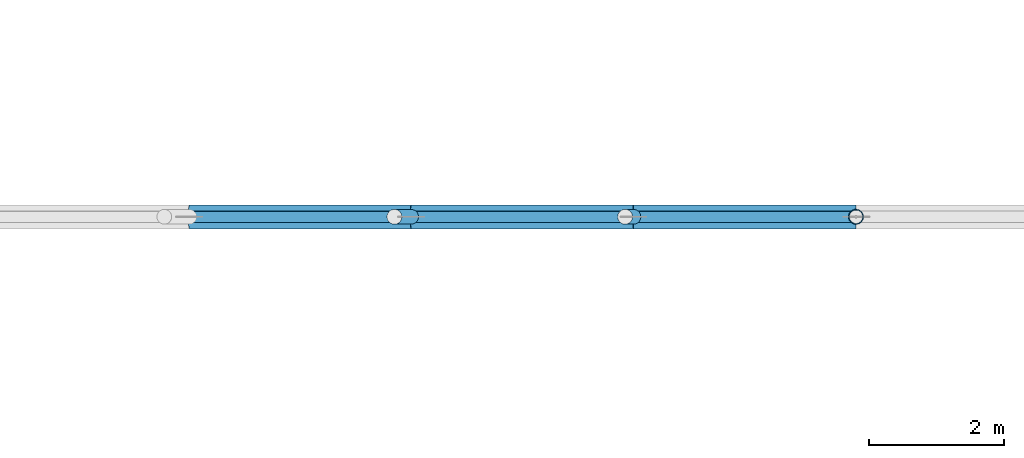
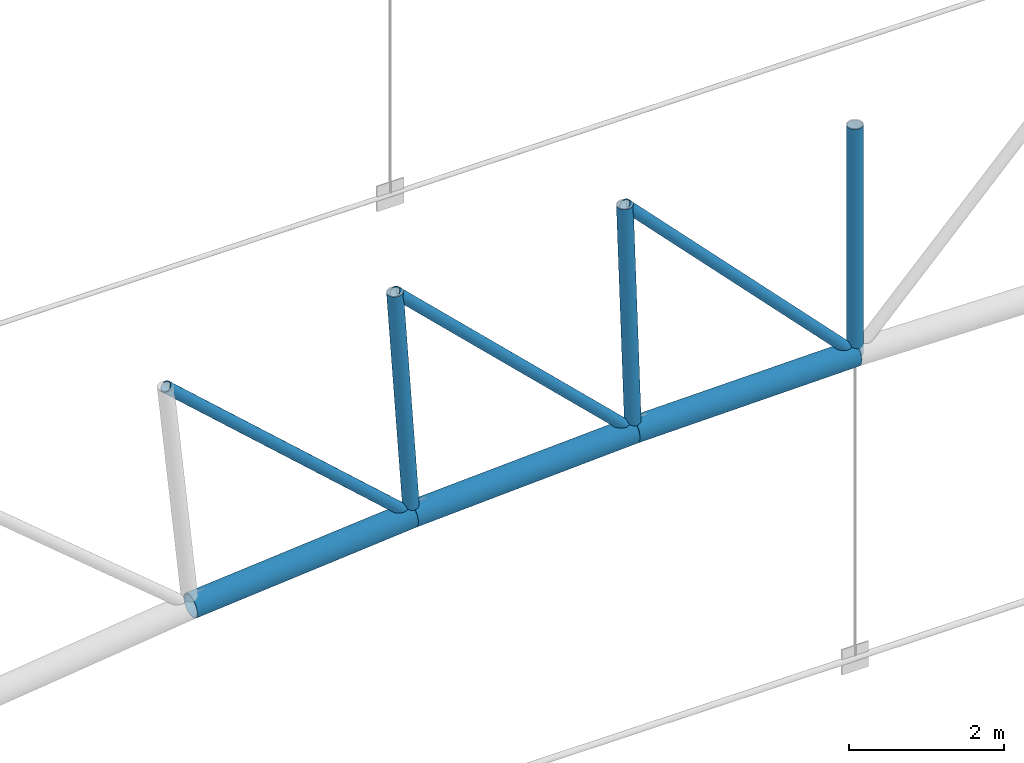
# One storey, part 87 of 321: 9 members.
"""IFC4 building model written with IfcOpenShell, lengths in metres."""

from ifc_helpers import new_model, si_unit, direction, frame, origin, origin_2d, place, context, subcontext, project, spatial, hollow_circle, extrude, material, material_profile, profile_set, type_object, element, save


model = new_model("IFC4")

# Units and contexts
model_context = context("Model", 3, precision=1e-05, world=origin(), true_north=direction((0.0, 1.0)))
body_context = subcontext(model_context, "Body", "Model", "MODEL_VIEW")
ifc_project = project(units=[si_unit("LENGTHUNIT", "METRE"), si_unit("AREAUNIT", "SQUARE_METRE"), si_unit("VOLUMEUNIT", "CUBIC_METRE"), si_unit("PLANEANGLEUNIT", "RADIAN"), si_unit("MASSUNIT", "GRAM", prefix="KILO")], contexts=[model_context])

# Site, building, storey
site_placement = place(None, origin())
site = spatial("IfcSite", under=ifc_project, at=site_placement, CompositionType="ELEMENT")
building_placement = place(site_placement, origin())
building = spatial("IfcBuilding", under=site, at=building_placement, Name="Ravi Spectrum Wholesale Market", CompositionType="ELEMENT")
storey_placement = place(building_placement, frame((0.0, 0.0, 10.800048828125)))
storey = spatial("IfcBuildingStorey", under=building, at=storey_placement, Name="L02", CompositionType="ELEMENT", Elevation=10.800048828125)

# Members
ifc_material_1 = material(Name="Steel S355", Category="steel")
ifc_material_profile_1 = material_profile(ifc_material_1, hollow_circle(Radius=0.084228515625, WallThickness=0.00634765625, at=origin_2d()))
ifc_profile_set_1 = profile_set([ifc_material_profile_1], Name="Steel S355")
member_type_1 = type_object("IfcMemberType", Name="CHS 168.3x6.3 brace", PredefinedType="BRACE", material=ifc_profile_set_1)
member_1_placement = place(storey_placement, frame((59.726806640625, 126.0, 7.867919921875), z_axis=(0.743626505142, 0.0, -0.668595259369), x_axis=(0.0, 1.0, 0.0)))
element("IfcMember", 1, at=member_1_placement, inside=storey, type_object=member_type_1, Name="H1-MB-L02-728", PredefinedType="BRACE", context=body_context, shape_type="SweptSolid", body=[
    extrude(hollow_circle(Radius=0.084228515625, WallThickness=0.00634765625, at=origin_2d()), origin(), (0.0, 0.0, 1.0), 4.9296875),
])
for number, where, z_axis, x_axis, name in (
    (2, (63.14453125, 126.0, 8.163330078125), (0.7201093859, 0.0, -0.69386055684), (0.0, 1.0, 0.0), "H1-MB-L02-729"),
    (3, (66.5703125, 126.0, 8.3408203125), (0.695749704847, 0.0, -0.718284308756), (0.0, 1.0, 0.0), "H1-MB-L02-730"),
):
    element("IfcMember", number, at=place(storey_placement, frame(where, z_axis=z_axis, x_axis=x_axis)), inside=storey, type_object=member_type_1, Name=name, PredefinedType="BRACE", context=body_context, shape_type="SweptSolid", body=[
        extrude(hollow_circle(Radius=0.084228515625, WallThickness=0.00634765625, at=origin_2d()), origin(), (0.0, 0.0, 1.0), 4.929443359375),
    ])
ifc_material_2 = material(Name="Steel S355", Category="steel")
ifc_material_profile_2 = material_profile(ifc_material_2, hollow_circle(Radius=0.109619140625, WallThickness=0.008056640625, at=origin_2d()))
ifc_profile_set_2 = profile_set([ifc_material_profile_2], Name="Steel S355")
member_type_2 = type_object("IfcMemberType", Name="CHS 219.1x8 post", PredefinedType="POST", material=ifc_profile_set_2)
member_2_placement = place(storey_placement, frame((63.14453125, 126.0, 8.163330078125), z_axis=(0.068904502548, 0.0, -0.997623260319), x_axis=(0.0, 1.0, 0.0)))
element("IfcMember", 4, at=member_2_placement, inside=storey, type_object=member_type_2, Name="H1-MB-L02-706", PredefinedType="POST", context=body_context, shape_type="SweptSolid", body=[
    extrude(hollow_circle(Radius=0.109619140625, WallThickness=0.008056640625, at=origin_2d()), origin(), (0.0, 0.0, 1.0), 3.599853515625),
])
member_3_placement = place(storey_placement, frame((66.5703125, 126.0, 8.3408203125), z_axis=(0.034450597287, 0.0, -0.999406401994), x_axis=(0.0, 1.0, 0.0)))
element("IfcMember", 5, at=member_3_placement, inside=storey, type_object=member_type_2, Name="H1-MB-L02-707", PredefinedType="POST", context=body_context, shape_type="SweptSolid", body=[
    extrude(hollow_circle(Radius=0.109619140625, WallThickness=0.008056640625, at=origin_2d()), origin(), (0.0, 0.0, 1.0), 3.60009765625),
])
member_4_placement = place(storey_placement, frame((70.0, 126.0, 8.39990234375), z_axis=(0.0, 0.0, -1.0), x_axis=(1.0, 0.0, 0.0)))
element("IfcMember", 6, at=member_4_placement, inside=storey, type_object=member_type_2, Name="H1-MB-L02-708", PredefinedType="POST", context=body_context, shape_type="SweptSolid", body=[
    extrude(hollow_circle(Radius=0.109619140625, WallThickness=0.008056640625, at=origin_2d()), origin(), (0.0, 0.0, 1.0), 3.599853515625),
])
ifc_material_3 = material(Name="Steel S355", Category="steel")
ifc_material_profile_3 = material_profile(ifc_material_3, hollow_circle(Radius=0.177734375, WallThickness=0.012451171875, at=origin_2d()))
ifc_profile_set_3 = profile_set([ifc_material_profile_3], Name="Steel S355")
member_type_3 = type_object("IfcMemberType", Name="CHS 355.6x12.5 chord", PredefinedType="CHORD", material=ifc_profile_set_3)
member_5_placement = place(storey_placement, frame((60.098876953125, 126.0, 4.287109375), z_axis=(0.99627955827, 0.0, 0.08618028645), x_axis=(0.0, 1.0, 0.0)))
element("IfcMember", 7, at=member_5_placement, inside=storey, type_object=member_type_3, Name="H1-MB-L02-682", PredefinedType="CHORD", context=body_context, shape_type="SweptSolid", body=[
    extrude(hollow_circle(Radius=0.177734375, WallThickness=0.012451171875, at=origin_2d()), origin(), (0.0, 0.0, 1.0), 3.305908203125),
])
for number, where, z_axis, x_axis, name in (
    (8, (63.392578125, 126.0, 4.572021484375), (0.99866314533, 0.0, 0.051690638992), (0.0, 1.0, 0.0), "H1-MB-L02-683"),
    (9, (66.6943359375, 126.0, 4.742919921875), (0.999850697486, 0.0, 0.017279546766), (0.0, 1.0, 0.0), "H1-MB-L02-684"),
):
    element("IfcMember", number, at=place(storey_placement, frame(where, z_axis=z_axis, x_axis=x_axis)), inside=storey, type_object=member_type_3, Name=name, PredefinedType="CHORD", context=body_context, shape_type="SweptSolid", body=[
        extrude(hollow_circle(Radius=0.177734375, WallThickness=0.012451171875, at=origin_2d()), origin(), (0.0, 0.0, 1.0), 3.30615234375),
    ])

save(model, "model.ifc")
